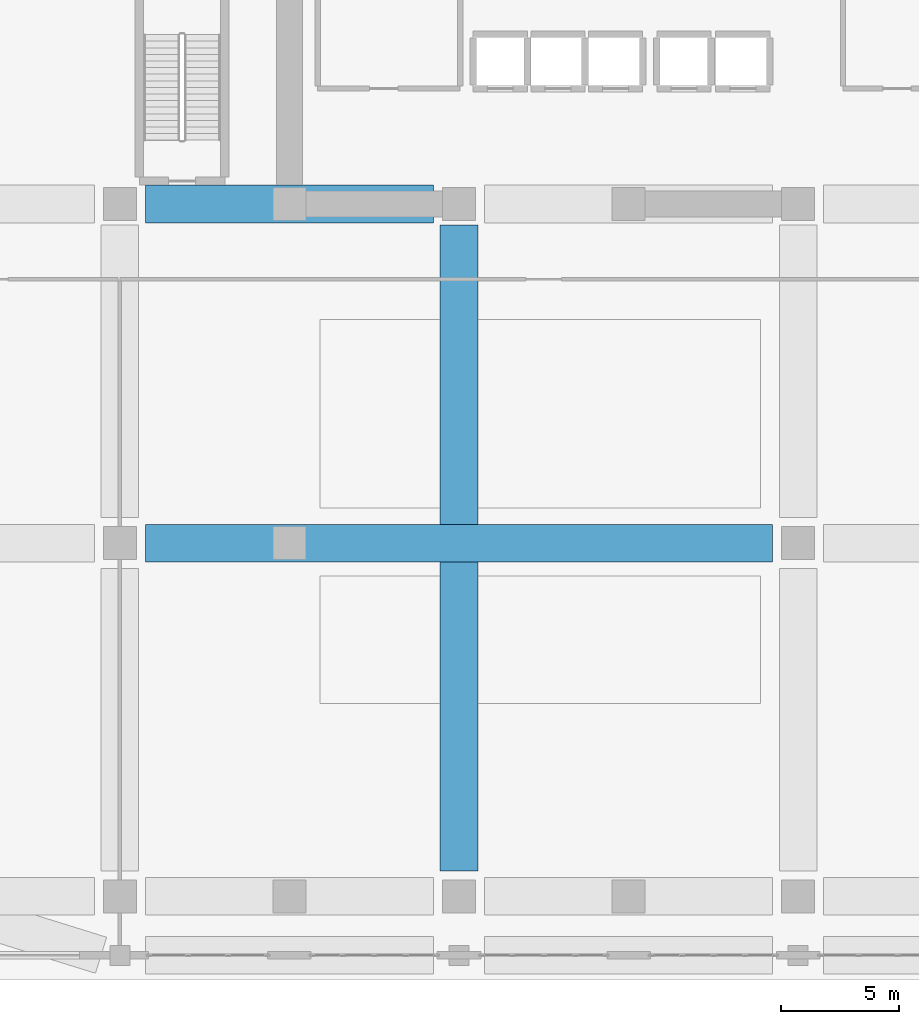
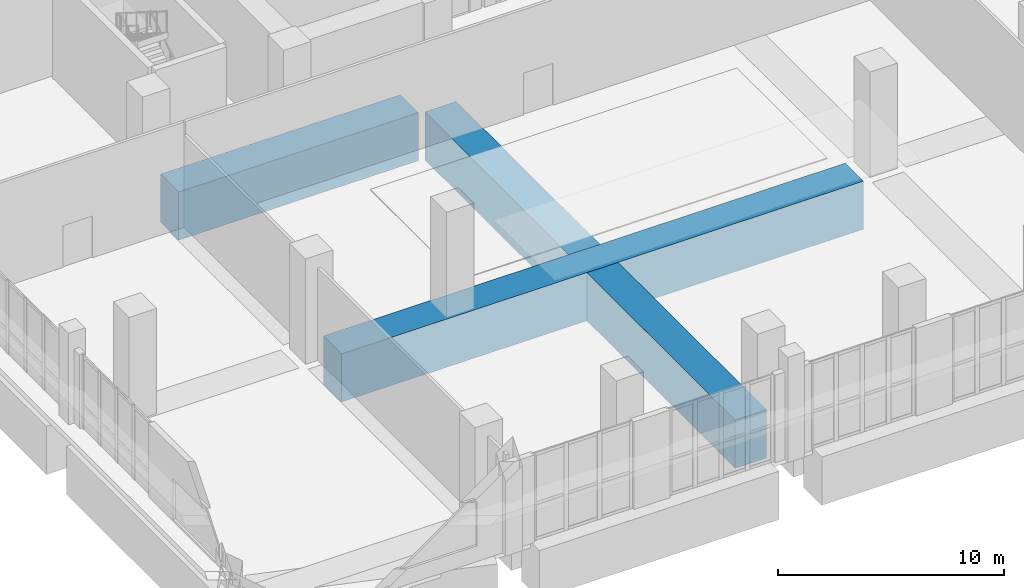
# One storey, part 6 of 25: 3 beams.
"""IFC4 building model written with IfcOpenShell, lengths in metres."""

from ifc_helpers import new_model, si_unit, direction, frame, origin, origin_2d, place, context, subcontext, project, spatial, rectangle, extrude, material, material_profile, profile_set, type_object, element, save


model = new_model("IFC4")

# Units and contexts
model_context = context("Model", 3, precision=1e-05, world=origin(), true_north=direction((0.0, 1.0)))
body_context = subcontext(model_context, "Body", "Model", "MODEL_VIEW")
ifc_project = project(units=[si_unit("LENGTHUNIT", "METRE"), si_unit("AREAUNIT", "SQUARE_METRE"), si_unit("VOLUMEUNIT", "CUBIC_METRE"), si_unit("PLANEANGLEUNIT", "RADIAN"), si_unit("MASSUNIT", "GRAM", prefix="KILO")], contexts=[model_context])

# Site, building, storey
site_placement = place(None, origin())
site = spatial("IfcSite", under=ifc_project, at=site_placement, CompositionType="ELEMENT")
building_placement = place(site_placement, origin())
building = spatial("IfcBuilding", under=site, at=building_placement, Name="Kaelvorn Grand Hotel", CompositionType="ELEMENT")
storey_placement = place(building_placement, frame((0.0, 0.0, 8.0)))
storey = spatial("IfcBuildingStorey", under=building, at=storey_placement, Name="L01", CompositionType="ELEMENT", Elevation=8.0)

# Beams
ifc_material = material(Name="Concrete C80/95", Category="concrete")
ifc_material_profile = material_profile(ifc_material, rectangle(XDim=1.60009765625, YDim=2.60009765625, at=origin_2d()), Name="RC TG 1600x2600")
ifc_profile_set = profile_set([ifc_material_profile], Name="Concrete C80/95")
beam_type = type_object("IfcBeamType", Name="BM-TG-1600x2600-C80", PredefinedType="USERDEFINED", material=ifc_profile_set)
beam_1_placement = place(storey_placement, frame((10.0849609375, 15.0, -1.300048828125), z_axis=(1.0, 0.0, 0.0), x_axis=(0.0, 1.0, 0.0)))
element("IfcBeam", 1, at=beam_1_placement, inside=storey, type_object=beam_type, Name="L01 Pilotis Transfer Girder TGX-M15 02", ObjectType="TRANSFER GIRDER", PredefinedType="USERDEFINED", context=body_context, shape_type="SweptSolid", body=[
    extrude(rectangle(XDim=1.60009765625, YDim=2.60009765625, at=origin_2d()), origin(), (0.0, 0.0, 1.0), 26.630126953125),
])
beam_2_placement = place(storey_placement, frame((10.0849609375, 29.39990234375, -1.300048828125), z_axis=(1.0, 0.0, 0.0), x_axis=(0.0, 1.0, 0.0)))
element("IfcBeam", 2, at=beam_2_placement, inside=storey, type_object=beam_type, Name="L01 Pilotis Transfer Girder TGX-C29 02", ObjectType="TRANSFER GIRDER", PredefinedType="USERDEFINED", context=body_context, shape_type="SweptSolid", body=[
    extrude(rectangle(XDim=1.60009765625, YDim=2.60009765625, at=origin_2d()), origin(), (0.0, 0.0, 1.0), 12.22998046875),
])
beam_3_placement = place(storey_placement, frame((23.39990234375, 1.0849609375, -1.300048828125), z_axis=(0.0, 1.0, 0.0), x_axis=(-1.0, 0.0, 0.0)))
element("IfcBeam", 3, at=beam_3_placement, inside=storey, type_object=beam_type, Name="L01 Pilotis Transfer Girder TGY-X23 01", ObjectType="TRANSFER GIRDER", PredefinedType="USERDEFINED", context=body_context, shape_type="SweptSolid", body=[
    extrude(rectangle(XDim=1.60009765625, YDim=2.60009765625, at=origin_2d()), origin(), (0.0, 0.0, 1.0), 27.429931640625),
])

save(model, "model.ifc")
